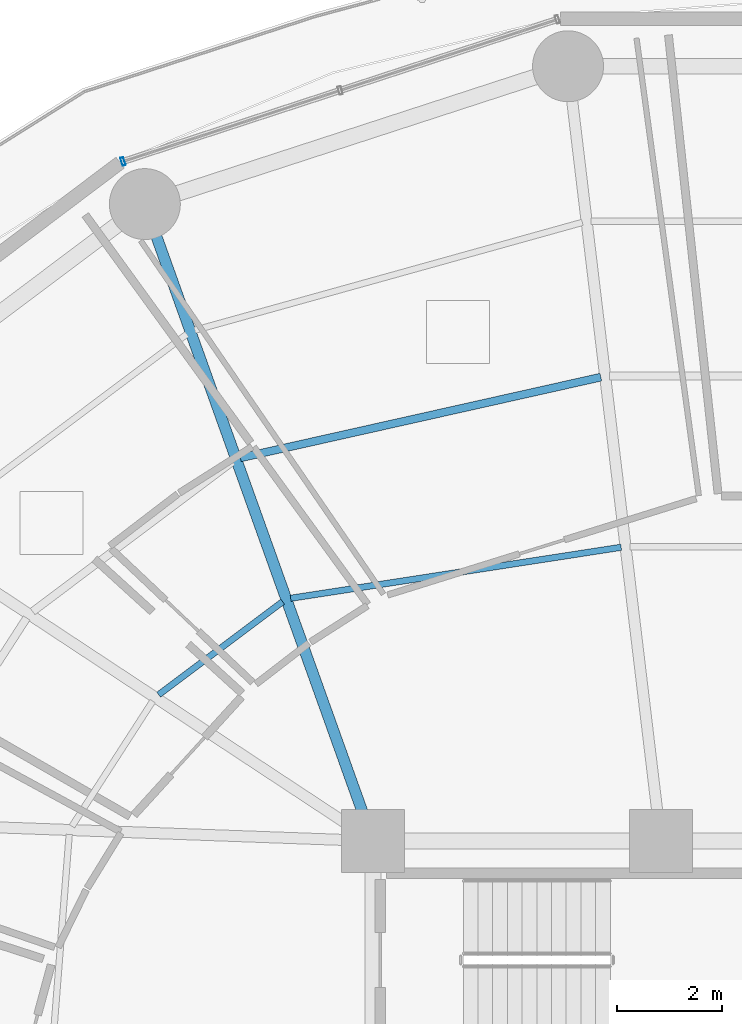
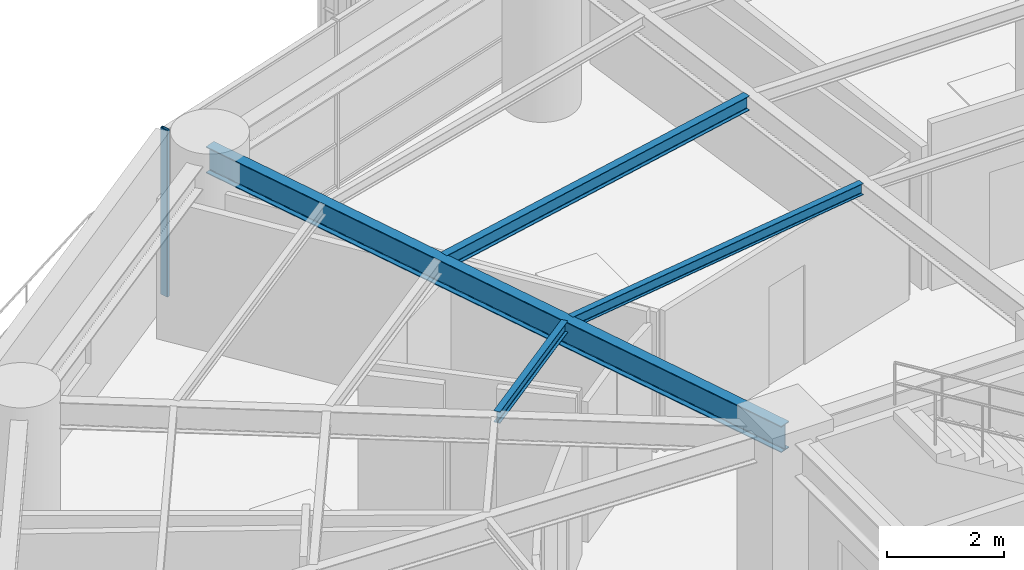
# One storey, part 20 of 37: 4 beams, 1 member, 1 element without a shape of its own.
"""IFC4 building model written with IfcOpenShell, lengths in metres."""

from ifc_helpers import new_model, si_unit, direction, frame, origin, origin_2d, place, context, subcontext, project, spatial, hollow_rectangle, i_section, extrude, material, layer, layer_set, material_profile, profile_set, type_object, element, aggregate, save


model = new_model("IFC4")

# Units and contexts
model_context = context("Model", 3, precision=1e-05, world=origin(), true_north=direction((0.0, 1.0)))
body_context = subcontext(model_context, "Body", "Model", "MODEL_VIEW")
ifc_project = project(units=[si_unit("LENGTHUNIT", "METRE"), si_unit("AREAUNIT", "SQUARE_METRE"), si_unit("VOLUMEUNIT", "CUBIC_METRE"), si_unit("PLANEANGLEUNIT", "RADIAN"), si_unit("MASSUNIT", "GRAM", prefix="KILO")], contexts=[model_context])

# Site, building, storey
site_placement = place(None, origin())
site = spatial("IfcSite", under=ifc_project, at=site_placement, CompositionType="ELEMENT")
building_placement = place(site_placement, origin())
building = spatial("IfcBuilding", under=site, at=building_placement, Name="Kelanora Arch Commons", CompositionType="ELEMENT")
storey_placement = place(building_placement, frame((0.0, 0.0, 113.85009765625)))
storey = spatial("IfcBuildingStorey", under=building, at=storey_placement, Name="L29", CompositionType="ELEMENT", Elevation=113.85009765625)

# Beams
ifc_material_1 = material(Name="Steel S355", Category="steel")
ifc_material_profile_1 = material_profile(ifc_material_1, i_section(OverallWidth=0.14990234375, OverallDepth=0.300048828125, WebThickness=0.007080078125, FlangeThickness=0.0107421875, FilletRadius=0.014892578125, at=origin_2d()), Name="IPE300")
ifc_profile_set_1 = profile_set([ifc_material_profile_1], Name="Steel S355")
beam_type_1 = type_object("IfcBeamType", Name="BM-JST-01", PredefinedType="JOIST", material=ifc_profile_set_1)
beam_1_placement = place(storey_placement, frame((70.337646484375, 73.828125, 3.33984375), z_axis=(-0.975817048791, -0.218588854449, 0.0), x_axis=(0.218588854449, -0.975817048791, 0.0)))
element("IfcBeam", 1, at=beam_1_placement, inside=storey, type_object=beam_type_1, Name="Secondary Chord Joist BJB-10 L29", PredefinedType="JOIST", context=body_context, shape_type="SweptSolid", body=[
    extrude(i_section(OverallWidth=0.14990234375, OverallDepth=0.300048828125, WebThickness=0.007080078125, FlangeThickness=0.0107421875, FilletRadius=0.014892578125, at=origin_2d()), origin(), (0.0, 0.0, 1.0), 7.028564453125),
])
ifc_material_profile_2 = material_profile(ifc_material_1, i_section(OverallWidth=0.1201171875, OverallDepth=0.239990234375, WebThickness=0.006103515625, FlangeThickness=0.009765625, FilletRadius=0.014892578125, at=origin_2d()), Name="IPE240")
ifc_profile_set_2 = profile_set([ifc_material_profile_2], Name="Steel S355")
beam_type_2 = type_object("IfcBeamType", Name="BM-JST-02", PredefinedType="JOIST", material=ifc_profile_set_2)
beam_2_placement = place(storey_placement, frame((70.72509765625, 70.590087890625, 3.369873046875), z_axis=(-0.988295745497, -0.152550055496, 0.0), x_axis=(0.152550055496, -0.988295745497, 0.0)))
element("IfcBeam", 2, at=beam_2_placement, inside=storey, type_object=beam_type_2, Name="Secondary Chord Joist BJA-10 L29", PredefinedType="JOIST", context=body_context, shape_type="SweptSolid", body=[
    extrude(i_section(OverallWidth=0.1201171875, OverallDepth=0.239990234375, WebThickness=0.006103515625, FlangeThickness=0.009765625, FilletRadius=0.014892578125, at=origin_2d()), origin(), (0.0, 0.0, 1.0), 6.36474609375),
])
beam_3_placement = place(storey_placement, frame((64.28271484375, 69.555419921875, 3.369873046875), z_axis=(-0.799692034361, -0.600410401458, 0.0), x_axis=(0.600410401458, -0.799692034361, 0.0)))
element("IfcBeam", 3, at=beam_3_placement, inside=storey, type_object=beam_type_2, Name="Secondary Chord Joist BJA-12 L29", PredefinedType="JOIST", context=body_context, shape_type="SweptSolid", body=[
    extrude(i_section(OverallWidth=0.1201171875, OverallDepth=0.239990234375, WebThickness=0.006103515625, FlangeThickness=0.009765625, FilletRadius=0.014892578125, at=origin_2d()), origin(), (0.0, 0.0, 1.0), 2.949951171875),
])
ifc_material_profile_3 = material_profile(ifc_material_1, i_section(OverallWidth=0.2099609375, OverallDepth=0.550048828125, WebThickness=0.010986328125, FlangeThickness=0.01708984375, FilletRadius=0.02392578125, at=origin_2d()), Name="IPE550")
ifc_profile_set_3 = profile_set([ifc_material_profile_3], Name="Steel S355")
beam_type_3 = type_object("IfcBeamType", Name="BM-RAD-Z2", PredefinedType="BEAM", material=ifc_profile_set_3)
beam_4_placement = place(storey_placement, frame((66.0, 65.0, 3.21484375), z_axis=(-0.337084640008, 0.941474346687, 0.0), x_axis=(-0.941474346687, -0.337084640008, 0.0)))
element("IfcBeam", 4, at=beam_4_placement, inside=storey, type_object=beam_type_3, Name="Radial Floor Girder BR-12 L29", PredefinedType="BEAM", context=body_context, shape_type="SweptSolid", body=[
    extrude(i_section(OverallWidth=0.2099609375, OverallDepth=0.550048828125, WebThickness=0.010986328125, FlangeThickness=0.01708984375, FilletRadius=0.02392578125, at=origin_2d()), origin(), (0.0, 0.0, 1.0), 12.875244140625),
])

# Curtain wall, member
ifc_material_2 = material(Name="Terracotta ceramic-fritted low-E glass and aluminium", Category="masonry")
ifc_layer = layer(ifc_material_2, 0.159912109375)
ifc_layer_set = layer_set([ifc_layer], Name="Terracotta ceramic-fritted low-E glass and aluminium")
curtain_wall_type = type_object("IfcCurtainWallType", Name="CW-SYS-01", PredefinedType="NOTDEFINED", material=ifc_layer_set)
curtain_wall_placement = place(storey_placement, origin())
curtain_wall = element("IfcCurtainWall", 5, at=curtain_wall_placement, inside=storey, type_object=curtain_wall_type, Name="Unitised Curtain Wall L29-B05", PredefinedType="NOTDEFINED")
ifc_material_3 = material(Name="Powder-coated aluminium terracotta", Category="masonry")
ifc_material_profile_4 = material_profile(ifc_material_3, hollow_rectangle(XDim=0.159912109375, YDim=0.06005859375, WallThickness=0.0048828125, InnerFilletRadius=0.0048828125, OuterFilletRadius=0.010009765625, at=origin_2d()), Name="CWM160x60")
ifc_profile_set_4 = profile_set([ifc_material_profile_4], Name="Powder-coated aluminium terracotta")
member_type = type_object("IfcMemberType", Name="CWM-STD", PredefinedType="MULLION", material=ifc_profile_set_4)
member_placement = place(storey_placement, frame((61.242919921875, 77.9326171875, 0.0), z_axis=(0.0, 0.0, 1.0), x_axis=(0.31080470294, -0.950473795867, 0.0)))
member = element("IfcMember", 6, at=member_placement, type_object=member_type, Name="CW-01 mullion 3", PredefinedType="MULLION", context=body_context, shape_type="SweptSolid", body=[
    extrude(hollow_rectangle(XDim=0.159912109375, YDim=0.06005859375, WallThickness=0.0048828125, InnerFilletRadius=0.0048828125, OuterFilletRadius=0.010009765625, at=origin_2d()), origin(), (0.0, 0.0, 1.0), 3.474853515625),
])
aggregate(curtain_wall, [member])

save(model, "model.ifc")
